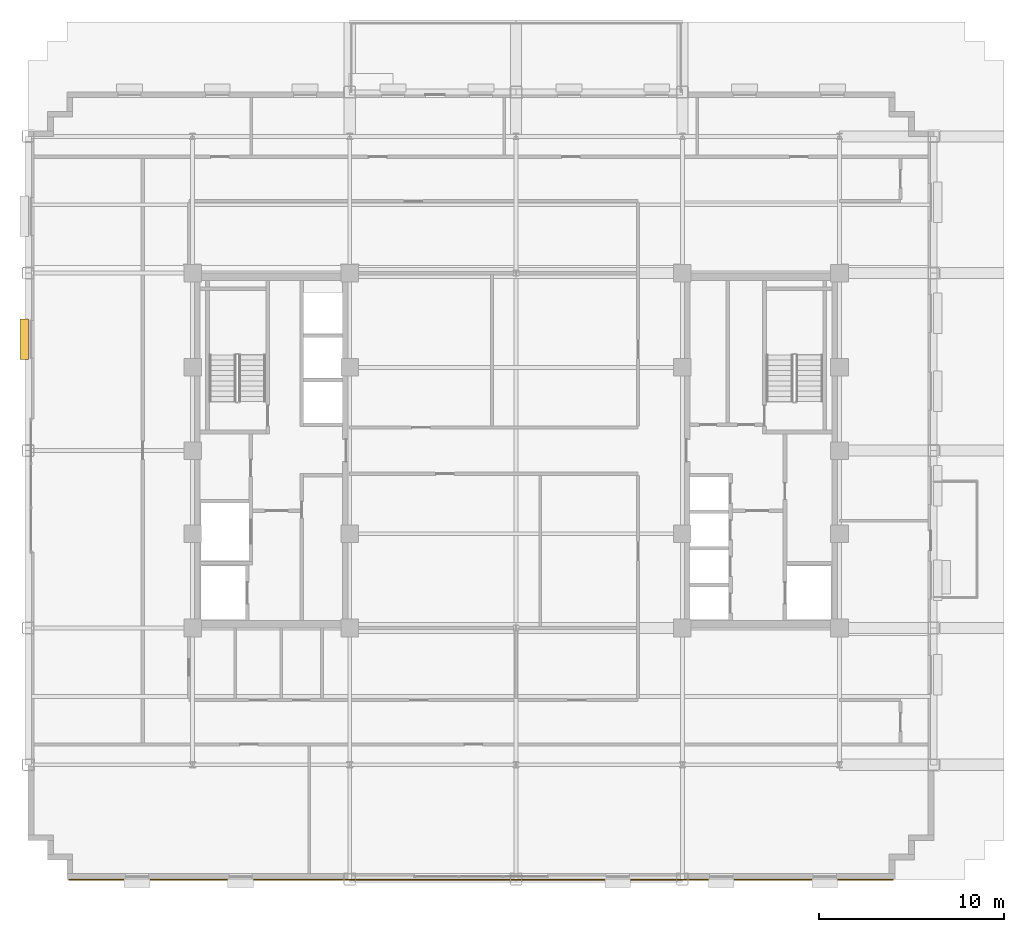
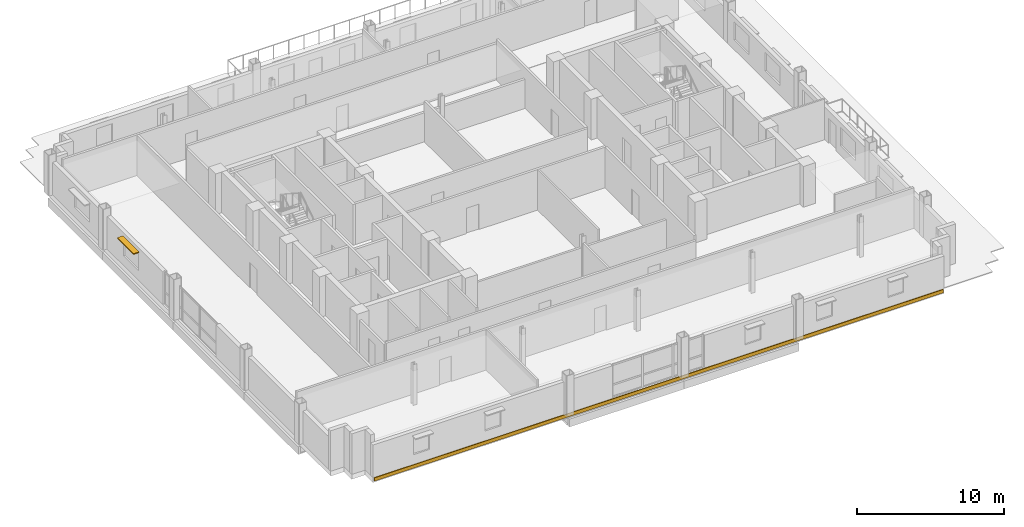
# One storey, part 13 of 17: 1 covering, 1 shading device.
"""IFC4 building model written with IfcOpenShell, lengths in metres."""

from ifc_helpers import new_model, si_unit, direction, frame, origin, origin_2d, place, context, subcontext, project, spatial, rectangle, extrude, source, transform, mapped, material, layer, layer_set, type_object, type_shapes, element, save


model = new_model("IFC4")

# Units and contexts
model_context = context("Model", 3, precision=1e-05, world=origin(), true_north=direction((0.0, 1.0)))
body_context = subcontext(model_context, "Body", "Model", "MODEL_VIEW")
ifc_project = project(units=[si_unit("LENGTHUNIT", "METRE"), si_unit("AREAUNIT", "SQUARE_METRE"), si_unit("VOLUMEUNIT", "CUBIC_METRE"), si_unit("PLANEANGLEUNIT", "RADIAN"), si_unit("MASSUNIT", "GRAM", prefix="KILO")], contexts=[model_context])

# Site, building, storey
site_placement = place(None, origin())
site = spatial("IfcSite", under=ifc_project, at=site_placement, CompositionType="ELEMENT")
building_placement = place(site_placement, origin())
building = spatial("IfcBuilding", under=site, at=building_placement, Name="Nuvemarco Arch Tower", CompositionType="ELEMENT")
storey_placement = place(building_placement, frame((0.0, 0.0, 167.64990234375)))
storey = spatial("IfcBuildingStorey", under=building, at=storey_placement, Name="L44", CompositionType="ELEMENT", Elevation=167.64990234375)

# Shading device
ifc_material_1 = material(Name="Anodised aluminium 6063-T6", Category="aluminium")
shading_device_type = type_object("IfcShadingDeviceType", Name="SHD-BRISE-SOLEIL", PredefinedType="USERDEFINED", material=ifc_material_1)
shared_shape_1 = source(origin(), body_context, "Body", "SweptSolid", [
    extrude(rectangle(XDim=2.199951171875, YDim=0.449951171875, at=origin_2d()), origin(), (0.0, 0.0, 1.0), 0.080078125),
])
type_shapes(shading_device_type, [shared_shape_1])
shading_device_placement = place(storey_placement, frame((-26.614990234375, 6.0234375, 2.324951171875), z_axis=(0.0, 0.0, 1.0), x_axis=(0.0, 1.0, 0.0)))
element("IfcShadingDevice", 1, at=shading_device_placement, inside=storey, type_object=shading_device_type, Name="L44 horizontal brise-soleil sunshade", ObjectType="SUNSHADE", PredefinedType="USERDEFINED", context=body_context, shape_type="MappedRepresentation", body=[
    mapped(shared_shape_1, transform((0.0, 0.0, 0.0), scale=1.0)),
])

# Covering
ifc_material_2 = material(Name="Precast concrete C45/55", Category="concrete")
ifc_layer = layer(ifc_material_2, 0.06005859375, Name="COV-SPANDREL-CLAD")
ifc_layer_set = layer_set([ifc_layer], Name="Precast concrete C45/55")
covering_type = type_object("IfcCoveringType", Name="COV-SPANDREL-CLAD", PredefinedType="CLADDING", material=ifc_layer_set)
shared_shape_2 = source(origin(), body_context, "Body", "SweptSolid", [
    extrude(rectangle(XDim=44.60009765625, YDim=0.06005859375, at=origin_2d()), origin(), (0.0, 0.0, 1.0), 0.280029296875),
])
type_shapes(covering_type, [shared_shape_2])
covering_placement = place(storey_placement, frame((-1.89990234375, -23.22900390625, -0.27978515625), z_axis=(0.0, 0.0, 1.0), x_axis=(1.0, 0.0, 0.0)))
element("IfcCovering", 2, at=covering_placement, inside=storey, type_object=covering_type, Name="L44 precast spandrel edge cladding south", PredefinedType="CLADDING", context=body_context, shape_type="MappedRepresentation", body=[
    mapped(shared_shape_2, transform((0.0, 0.0, 0.0), scale=1.0)),
])

save(model, "model.ifc")
